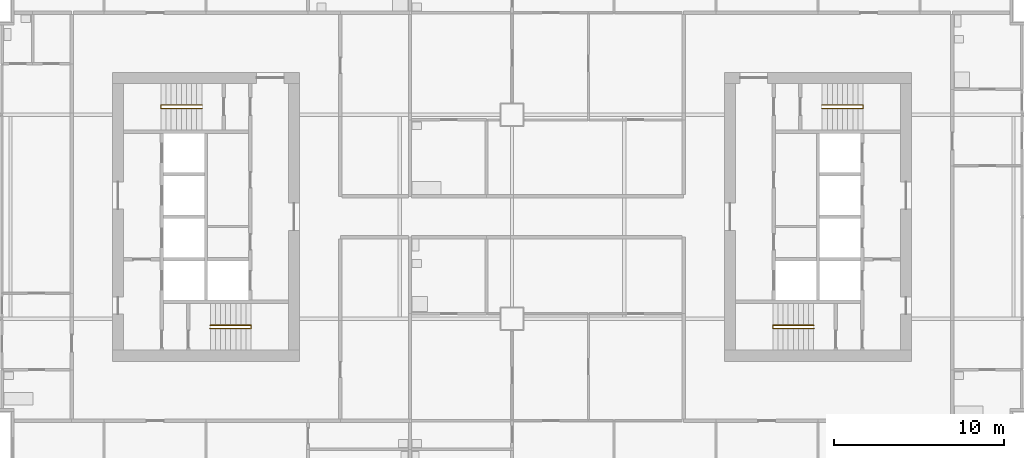
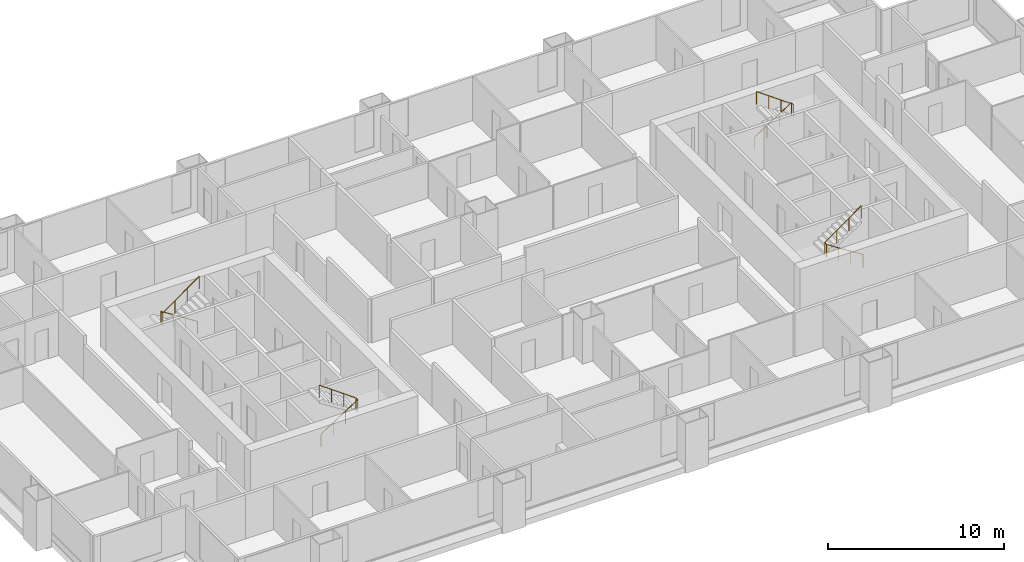
# One storey, part 10 of 11: 4 railings.
"""IFC4 building model written with IfcOpenShell, lengths in metres."""

import ifcopenshell
import ifcopenshell.guid

model = None  # the IFC model being written
_history = None  # IfcOwnerHistory: only IFC2X3 demands one
_inside = {}  # id of a spatial element -> (the spatial element, [elements in it])
_under = {}  # id of a project, library or spatial element -> (it, [spatial elements below it])
_declared = {}  # id of a project -> (the project, [libraries it declares])
_typed = {}  # id of a type object -> (the type object, [elements of that type])
_made_of = {}  # id of a material, layer set ... -> (it, [elements and type objects made of it])


def new_model(schema):
    """Start an empty IFC model of exactly this schema.

    Asked for "IFC4X3", IfcOpenShell would pick the latest addendum, in which some entities
    have other attributes; the version numbers below select the first issue.
    IFC2X3 requires an IfcOwnerHistory on every rooted entity: one is made here for all.
    """
    global model, _history
    if schema == "IFC4X3":
        model = ifcopenshell.file(schema_version=(4, 3, 0, 0))
    else:
        model = ifcopenshell.file(schema=schema)
    _inside.clear()
    _under.clear()
    _declared.clear()
    _typed.clear()
    _made_of.clear()
    _history = None
    if model.schema == "IFC2X3":
        org = make("IfcOrganization", Name="unknown")
        user = make(
            "IfcPersonAndOrganization",
            ThePerson=make("IfcPerson", FamilyName="unknown"),
            TheOrganization=org,
        )
        app = make(
            "IfcApplication",
            ApplicationDeveloper=org,
            Version="unknown",
            ApplicationFullName="unknown",
            ApplicationIdentifier="unknown",
        )
        _history = make(
            "IfcOwnerHistory",
            OwningUser=user,
            OwningApplication=app,
            ChangeAction="ADDED",
            CreationDate=0,
        )
    return model


def make(cls, **values):
    """One entity of the class cls with the attributes given. An attribute that is None is left unset."""
    return model.create_entity(
        cls, **{name: value for name, value in values.items() if value is not None}
    )


def rooted(cls, **values):
    """An entity with a GlobalId (a new one), such as an element, a storey or a relation."""
    return make(cls, GlobalId=ifcopenshell.guid.new(), OwnerHistory=_history, **values)


def si_unit(unit_type, name, prefix=None):
    """IfcSIUnit, for example si_unit("LENGTHUNIT", "METRE", prefix="MILLI")."""
    return make("IfcSIUnit", UnitType=unit_type, Prefix=prefix, Name=name)


def assignment(units):
    """IfcUnitAssignment: the units of a project."""
    return None if units is None else make("IfcUnitAssignment", Units=units)


def point(xyz):
    """IfcCartesianPoint."""
    return None if xyz is None else make("IfcCartesianPoint", Coordinates=xyz)


def direction(xyz):
    """IfcDirection."""
    return None if xyz is None else make("IfcDirection", DirectionRatios=xyz)


def frame(location, z_axis=None, x_axis=None):
    """IfcAxis2Placement3D, a coordinate frame: its origin and axes. An axis left out is left unset."""
    return make(
        "IfcAxis2Placement3D",
        Location=point(location),
        Axis=direction(z_axis),
        RefDirection=direction(x_axis),
    )


def frame_2d(location, x_axis=None):
    """IfcAxis2Placement2D, a coordinate frame in the plane: its origin and x axis."""
    return make(
        "IfcAxis2Placement2D", Location=point(location), RefDirection=direction(x_axis)
    )


def origin():
    """The frame at (0, 0, 0) with its axes left unset."""
    return frame((0.0, 0.0, 0.0))


def origin_2d():
    """The frame at (0, 0) in the plane with its x axis left unset."""
    return frame_2d((0.0, 0.0))


def place(relative_to, where):
    """IfcLocalPlacement: puts the frame where relative to a parent placement (None: the world)."""
    return make(
        "IfcLocalPlacement", PlacementRelTo=relative_to, RelativePlacement=where
    )


def context(
    kind, dimensions, precision=None, world=None, true_north=None, identifier=None
):
    """IfcGeometricRepresentationContext, for example the 3D "Model" context."""
    return make(
        "IfcGeometricRepresentationContext",
        ContextIdentifier=identifier,
        ContextType=kind,
        CoordinateSpaceDimension=dimensions,
        Precision=precision,
        WorldCoordinateSystem=world,
        TrueNorth=true_north,
    )


def subcontext(parent, identifier, kind, view, scale=None):
    """IfcGeometricRepresentationSubContext, for example "Body" below "Model"."""
    return make(
        "IfcGeometricRepresentationSubContext",
        ContextIdentifier=identifier,
        ContextType=kind,
        ParentContext=parent,
        TargetScale=scale,
        TargetView=view,
    )


def project(units=None, contexts=None):
    """IfcProject with its units and contexts."""
    return rooted(
        "IfcProject",
        Name="project",
        RepresentationContexts=contexts,
        UnitsInContext=assignment(units),
    )


def spatial(cls, under=None, at=None, **own):
    """A site, building, storey or space (cls), placed at a placement, below another one or the project."""
    s = rooted(cls, ObjectPlacement=at, **own)
    if under is not None:
        _under.setdefault(under.id(), (under, []))[1].append(s)
    return s


def profile(cls, at=None, kind="AREA", **sizes):
    """A parametric profile (cls). Its sizes go by their IFC names, for example OverallWidth=200.0."""
    return make(cls, ProfileType=kind, Position=at, **sizes)


def circle(**sizes):
    """IfcCircleProfileDef."""
    return profile("IfcCircleProfileDef", **sizes)


def extrude(swept, where, along, depth):
    """IfcExtrudedAreaSolid: the profile swept, set in the frame where, extruded along a direction by depth."""
    return make(
        "IfcExtrudedAreaSolid",
        SweptArea=swept,
        Position=where,
        ExtrudedDirection=direction(along),
        Depth=depth,
    )


def shape(context_of_items, identifier, shape_type, items):
    """IfcShapeRepresentation: the items that make up one representation, for example the "Body"."""
    return make(
        "IfcShapeRepresentation",
        ContextOfItems=context_of_items,
        RepresentationIdentifier=identifier,
        RepresentationType=shape_type,
        Items=items,
    )


def material(Name=None, Category=None):
    """IfcMaterial."""
    return make("IfcMaterial", Name=Name, Category=Category)


def made_of(thing, what):
    """Note that an element or type object is made of a material, layer set ...; save() writes the relation."""
    if what is not None:
        _made_of.setdefault(what.id(), (what, []))[1].append(thing)
    return thing


def type_object(cls, material=None, **own):
    """A type object (cls), such as IfcWallType, which elements share."""
    return made_of(rooted(cls, **own), material)


def element(
    cls,
    number,
    at=None,
    inside=None,
    cuts=None,
    type_object=None,
    material=None,
    context=None,
    identifier="Body",
    shape_type=None,
    held_by="IfcProductDefinitionShape",
    body=None,
    shapes=None,
    **own,
):
    """One element of the class cls, such as IfcWall. Its Tag is "e" and its number.

    at: its placement. inside: the storey or other place that contains it. cuts: it is an
    opening in that element (IfcRelVoidsElement). A single representation is given by context,
    identifier, shape_type and body (its items); several are given by shapes. held_by: the class
    of the entity that holds the representations. save() writes the other relations.
    """
    e = rooted(cls, Tag="e%d" % number, ObjectPlacement=at, **own)
    if body is not None:
        shapes = [shape(context, identifier, shape_type, body)]
    if shapes is not None:
        e.Representation = make(held_by, Representations=shapes)
    if inside is not None:
        _inside.setdefault(inside.id(), (inside, []))[1].append(e)
    if cuts is not None:
        rooted(
            "IfcRelVoidsElement", RelatingBuildingElement=cuts, RelatedOpeningElement=e
        )
    if type_object is not None:
        _typed.setdefault(type_object.id(), (type_object, []))[1].append(e)
    return made_of(e, material)


def aggregate(whole, parts):
    """IfcRelAggregates: a whole, such as a stair, and the parts it consists of."""
    return rooted("IfcRelAggregates", RelatingObject=whole, RelatedObjects=parts)


def save(model, path):
    """Write the relations noted so far, then the file.

    IfcRelAggregates (storeys below a building ...), IfcRelContainedInSpatialStructure (elements
    in a storey), IfcRelDefinesByType, IfcRelAssociatesMaterial and IfcRelDeclares: one each for
    every whole, place, type object, material and project.
    """
    for whole, parts in _under.values():
        aggregate(whole, parts)
    for where, things in _inside.values():
        rooted(
            "IfcRelContainedInSpatialStructure",
            RelatedElements=things,
            RelatingStructure=where,
        )
    for kind, things in _typed.values():
        rooted("IfcRelDefinesByType", RelatedObjects=things, RelatingType=kind)
    for what, things in _made_of.values():
        rooted("IfcRelAssociatesMaterial", RelatedObjects=things, RelatingMaterial=what)
    for by, libraries in _declared.values():
        rooted("IfcRelDeclares", RelatingContext=by, RelatedDefinitions=libraries)
    model.write(path)


model = new_model("IFC4")

# Units and contexts
model_context = context("Model", 3, precision=1e-05, world=origin(), true_north=direction((0.0, 1.0)))
body_context = subcontext(model_context, "Body", "Model", "MODEL_VIEW")
ifc_project = project(units=[si_unit("LENGTHUNIT", "METRE"), si_unit("AREAUNIT", "SQUARE_METRE"), si_unit("VOLUMEUNIT", "CUBIC_METRE"), si_unit("PLANEANGLEUNIT", "RADIAN"), si_unit("MASSUNIT", "GRAM", prefix="KILO")], contexts=[model_context])

# Site, building, storey
site_placement = place(None, origin())
site = spatial("IfcSite", under=ifc_project, at=site_placement, CompositionType="ELEMENT")
building_placement = place(site_placement, origin())
building = spatial("IfcBuilding", under=site, at=building_placement, Name="Kitamizu Gate Tower and Museum", CompositionType="ELEMENT")
storey_placement = place(building_placement, frame((0.0, 0.0, 106.949951171875)))
storey = spatial("IfcBuildingStorey", under=building, at=storey_placement, Name="L27", CompositionType="ELEMENT", Elevation=106.949951171875)

# Railings
ifc_material = material(Name="Stainless steel SUS304", Category="steel")
railing_type = type_object("IfcRailingType", Name="Stair handrail 900", PredefinedType="HANDRAIL", material=ifc_material)
railing_1_placement = place(storey_placement, frame((18.25, 23.425048828125, 0.191650390625)))
element("IfcRailing", 1, at=railing_1_placement, inside=storey, type_object=railing_type, Name="Stair handrail ST1", PredefinedType="HANDRAIL", context=body_context, shape_type="SweptSolid", body=[
    extrude(circle(Radius=0.02392578125, at=origin_2d()), frame((0.0, 0.0, 0.8759765625), z_axis=(0.842668169335, 0.0, 0.538433242278), x_axis=(0.0, 1.0, 0.0)), (0.0, 0.0, 1.0), 2.847900390625),
    extrude(circle(Radius=0.02392578125, at=origin_2d()), frame((2.39990234375, 0.0, 2.4091796875), z_axis=(0.0, 1.0, 0.0), x_axis=(-1.0, 0.0, 0.0)), (0.0, 0.0, 1.0), 0.199951171875),
    extrude(circle(Radius=0.02392578125, at=origin_2d()), frame((2.39990234375, 0.199951171875, 2.4091796875), z_axis=(-0.81202760531, 0.0, 0.583619026604), x_axis=(0.0, -1.0, 0.0)), (0.0, 0.0, 1.0), 2.955322265625),
    extrude(circle(Radius=0.02099609375, at=origin_2d()), origin(), (0.0, 0.0, 1.0), 0.851806640625),
    extrude(circle(Radius=0.02099609375, at=origin_2d()), frame((0.800048828125, 0.0, 0.51123046875)), (0.0, 0.0, 1.0), 0.851806640625),
    extrude(circle(Radius=0.02099609375, at=origin_2d()), frame((1.599853515625, 0.0, 1.022216796875)), (0.0, 0.0, 1.0), 0.851806640625),
    extrude(circle(Radius=0.02099609375, at=origin_2d()), frame((2.39990234375, 0.0, 1.533447265625)), (0.0, 0.0, 1.0), 0.851806640625),
    extrude(circle(Radius=0.02099609375, at=origin_2d()), frame((2.39990234375, 0.199951171875, 1.533447265625)), (0.0, 0.0, 1.0), 0.851806640625),
    extrude(circle(Radius=0.02099609375, at=origin_2d()), frame((1.599853515625, 0.199951171875, 2.1083984375)), (0.0, 0.0, 1.0), 0.851806640625),
    extrude(circle(Radius=0.02099609375, at=origin_2d()), frame((0.800048828125, 0.199951171875, 2.683349609375)), (0.0, 0.0, 1.0), 0.851806640625),
    extrude(circle(Radius=0.02099609375, at=origin_2d()), frame((0.0, 0.199951171875, 3.25830078125)), (0.0, 0.0, 1.0), 0.851806640625),
])
railing_2_placement = place(storey_placement, frame((17.75, 36.574951171875, 0.191650390625)))
element("IfcRailing", 2, at=railing_2_placement, inside=storey, type_object=railing_type, Name="Stair handrail ST2", PredefinedType="HANDRAIL", context=body_context, shape_type="SweptSolid", body=[
    extrude(circle(Radius=0.02392578125, at=origin_2d()), frame((0.0, 0.0, 0.8759765625), z_axis=(-0.842668169335, 0.0, 0.538433242278), x_axis=(0.0, -1.0, 0.0)), (0.0, 0.0, 1.0), 2.847900390625),
    extrude(circle(Radius=0.02392578125, at=origin_2d()), frame((-2.39990234375, 0.0, 2.4091796875), z_axis=(0.0, -1.0, 0.0), x_axis=(1.0, 0.0, 0.0)), (0.0, 0.0, 1.0), 0.199951171875),
    extrude(circle(Radius=0.02392578125, at=origin_2d()), frame((-2.39990234375, -0.199951171875, 2.4091796875), z_axis=(0.81202760531, 0.0, 0.583619026604), x_axis=(0.0, 1.0, 0.0)), (0.0, 0.0, 1.0), 2.955322265625),
    extrude(circle(Radius=0.02099609375, at=origin_2d()), origin(), (0.0, 0.0, 1.0), 0.851806640625),
    extrude(circle(Radius=0.02099609375, at=origin_2d()), frame((-0.800048828125, 0.0, 0.51123046875)), (0.0, 0.0, 1.0), 0.851806640625),
    extrude(circle(Radius=0.02099609375, at=origin_2d()), frame((-1.599853515625, 0.0, 1.022216796875)), (0.0, 0.0, 1.0), 0.851806640625),
    extrude(circle(Radius=0.02099609375, at=origin_2d()), frame((-2.39990234375, 0.0, 1.533447265625)), (0.0, 0.0, 1.0), 0.851806640625),
    extrude(circle(Radius=0.02099609375, at=origin_2d()), frame((-2.39990234375, -0.199951171875, 1.533447265625)), (0.0, 0.0, 1.0), 0.851806640625),
    extrude(circle(Radius=0.02099609375, at=origin_2d()), frame((-1.599853515625, -0.199951171875, 2.1083984375)), (0.0, 0.0, 1.0), 0.851806640625),
    extrude(circle(Radius=0.02099609375, at=origin_2d()), frame((-0.800048828125, -0.199951171875, 2.683349609375)), (0.0, 0.0, 1.0), 0.851806640625),
    extrude(circle(Radius=0.02099609375, at=origin_2d()), frame((0.0, -0.199951171875, 3.25830078125)), (0.0, 0.0, 1.0), 0.851806640625),
])
railing_3_placement = place(storey_placement, frame((53.75, 23.425048828125, 0.191650390625)))
element("IfcRailing", 3, at=railing_3_placement, inside=storey, type_object=railing_type, Name="Stair handrail ST3", PredefinedType="HANDRAIL", context=body_context, shape_type="SweptSolid", body=[
    extrude(circle(Radius=0.02392578125, at=origin_2d()), frame((0.0, 0.0, 0.8759765625), z_axis=(-0.842668169335, 0.0, 0.538433242278), x_axis=(0.0, -1.0, 0.0)), (0.0, 0.0, 1.0), 2.847900390625),
    extrude(circle(Radius=0.02392578125, at=origin_2d()), frame((-2.39990234375, 0.0, 2.4091796875), z_axis=(0.0, 1.0, 0.0), x_axis=(-1.0, 0.0, 0.0)), (0.0, 0.0, 1.0), 0.199951171875),
    extrude(circle(Radius=0.02392578125, at=origin_2d()), frame((-2.39990234375, 0.199951171875, 2.4091796875), z_axis=(0.81202760531, 0.0, 0.583619026604), x_axis=(0.0, 1.0, 0.0)), (0.0, 0.0, 1.0), 2.955322265625),
    extrude(circle(Radius=0.02099609375, at=origin_2d()), origin(), (0.0, 0.0, 1.0), 0.851806640625),
    extrude(circle(Radius=0.02099609375, at=origin_2d()), frame((-0.800048828125, 0.0, 0.51123046875)), (0.0, 0.0, 1.0), 0.851806640625),
    extrude(circle(Radius=0.02099609375, at=origin_2d()), frame((-1.599853515625, 0.0, 1.022216796875)), (0.0, 0.0, 1.0), 0.851806640625),
    extrude(circle(Radius=0.02099609375, at=origin_2d()), frame((-2.39990234375, 0.0, 1.533447265625)), (0.0, 0.0, 1.0), 0.851806640625),
    extrude(circle(Radius=0.02099609375, at=origin_2d()), frame((-2.39990234375, 0.199951171875, 1.533447265625)), (0.0, 0.0, 1.0), 0.851806640625),
    extrude(circle(Radius=0.02099609375, at=origin_2d()), frame((-1.599853515625, 0.199951171875, 2.1083984375)), (0.0, 0.0, 1.0), 0.851806640625),
    extrude(circle(Radius=0.02099609375, at=origin_2d()), frame((-0.800048828125, 0.199951171875, 2.683349609375)), (0.0, 0.0, 1.0), 0.851806640625),
    extrude(circle(Radius=0.02099609375, at=origin_2d()), frame((0.0, 0.199951171875, 3.25830078125)), (0.0, 0.0, 1.0), 0.851806640625),
])
railing_4_placement = place(storey_placement, frame((54.25, 36.574951171875, 0.191650390625)))
element("IfcRailing", 4, at=railing_4_placement, inside=storey, type_object=railing_type, Name="Stair handrail ST4", PredefinedType="HANDRAIL", context=body_context, shape_type="SweptSolid", body=[
    extrude(circle(Radius=0.02392578125, at=origin_2d()), frame((0.0, 0.0, 0.8759765625), z_axis=(0.842668169335, 0.0, 0.538433242278), x_axis=(0.0, 1.0, 0.0)), (0.0, 0.0, 1.0), 2.847900390625),
    extrude(circle(Radius=0.02392578125, at=origin_2d()), frame((2.39990234375, 0.0, 2.4091796875), z_axis=(0.0, -1.0, 0.0), x_axis=(1.0, 0.0, 0.0)), (0.0, 0.0, 1.0), 0.199951171875),
    extrude(circle(Radius=0.02392578125, at=origin_2d()), frame((2.39990234375, -0.199951171875, 2.4091796875), z_axis=(-0.81202760531, 0.0, 0.583619026604), x_axis=(0.0, -1.0, 0.0)), (0.0, 0.0, 1.0), 2.955322265625),
    extrude(circle(Radius=0.02099609375, at=origin_2d()), origin(), (0.0, 0.0, 1.0), 0.851806640625),
    extrude(circle(Radius=0.02099609375, at=origin_2d()), frame((0.800048828125, 0.0, 0.51123046875)), (0.0, 0.0, 1.0), 0.851806640625),
    extrude(circle(Radius=0.02099609375, at=origin_2d()), frame((1.599853515625, 0.0, 1.022216796875)), (0.0, 0.0, 1.0), 0.851806640625),
    extrude(circle(Radius=0.02099609375, at=origin_2d()), frame((2.39990234375, 0.0, 1.533447265625)), (0.0, 0.0, 1.0), 0.851806640625),
    extrude(circle(Radius=0.02099609375, at=origin_2d()), frame((2.39990234375, -0.199951171875, 1.533447265625)), (0.0, 0.0, 1.0), 0.851806640625),
    extrude(circle(Radius=0.02099609375, at=origin_2d()), frame((1.599853515625, -0.199951171875, 2.1083984375)), (0.0, 0.0, 1.0), 0.851806640625),
    extrude(circle(Radius=0.02099609375, at=origin_2d()), frame((0.800048828125, -0.199951171875, 2.683349609375)), (0.0, 0.0, 1.0), 0.851806640625),
    extrude(circle(Radius=0.02099609375, at=origin_2d()), frame((0.0, -0.199951171875, 3.25830078125)), (0.0, 0.0, 1.0), 0.851806640625),
])

save(model, "model.ifc")
